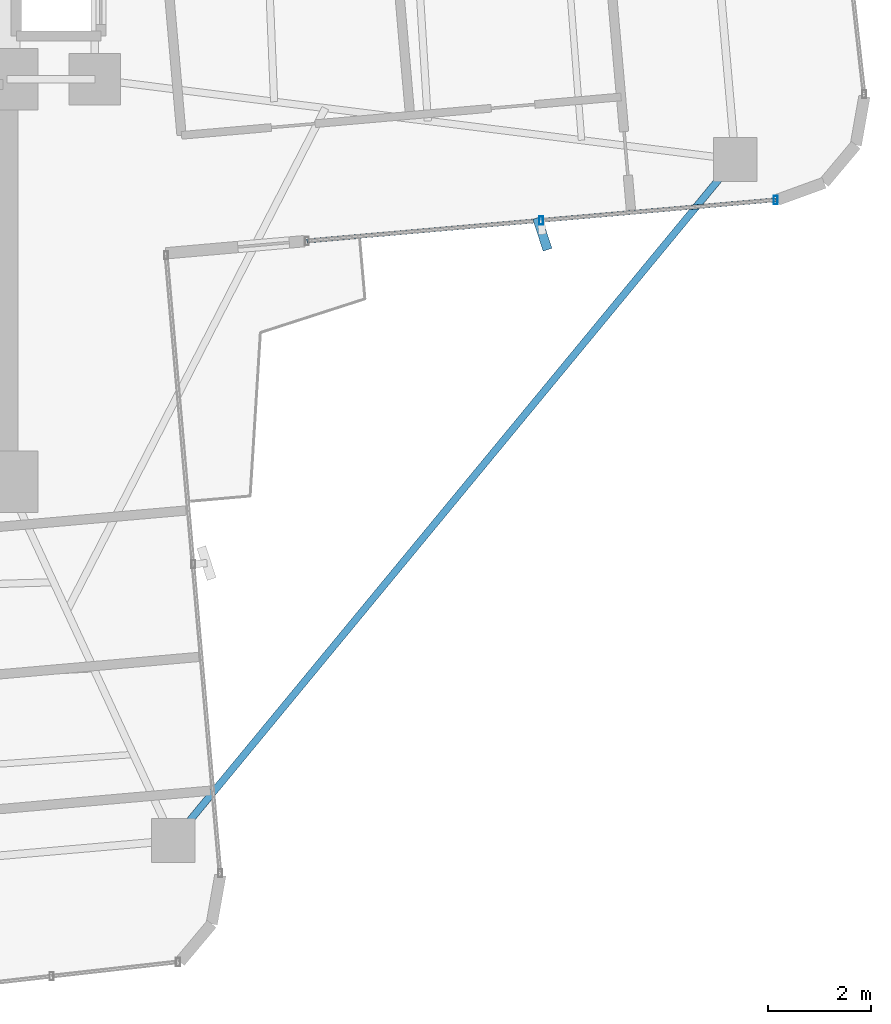
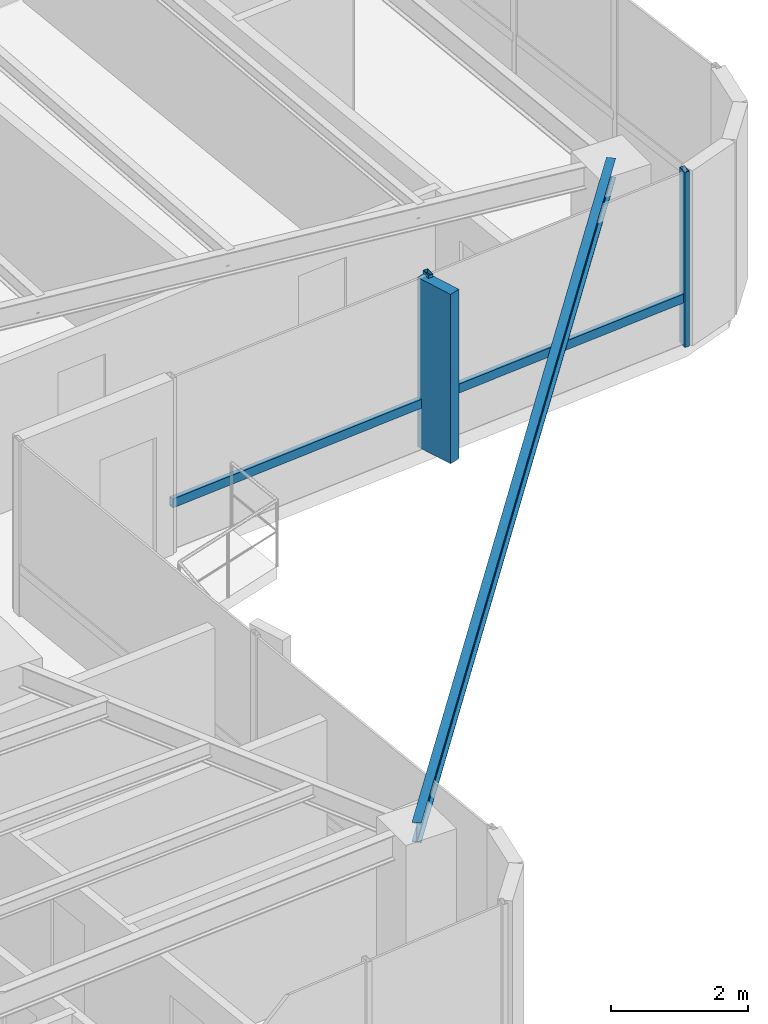
# One storey, part 13 of 24: 5 members, 1 beam, 1 element without a shape of its own.
"""IFC4 building model written with IfcOpenShell, lengths in metres."""

from ifc_helpers import new_model, si_unit, direction, frame, origin, origin_2d, place, context, subcontext, project, spatial, rectangle, hollow_rectangle, i_section, extrude, source, transform, mapped, material, material_profile, profile_set, type_object, element, aggregate, save


model = new_model("IFC4")

# Units and contexts
model_context = context("Model", 3, precision=1e-05, world=origin(), true_north=direction((0.0, 1.0)))
body_context = subcontext(model_context, "Body", "Model", "MODEL_VIEW")
ifc_project = project(units=[si_unit("LENGTHUNIT", "METRE"), si_unit("AREAUNIT", "SQUARE_METRE"), si_unit("VOLUMEUNIT", "CUBIC_METRE"), si_unit("PLANEANGLEUNIT", "RADIAN"), si_unit("MASSUNIT", "GRAM", prefix="KILO")], contexts=[model_context])

# Site, building, storey
site_placement = place(None, origin())
site = spatial("IfcSite", under=ifc_project, at=site_placement, CompositionType="ELEMENT")
building_placement = place(site_placement, origin())
building = spatial("IfcBuilding", under=site, at=building_placement, Name="Sahyath Konkavel Grand Hotel", CompositionType="ELEMENT")
storey_placement = place(building_placement, frame((0.0, 0.0, 181.89990234375)))
storey = spatial("IfcBuildingStorey", under=building, at=storey_placement, Name="L50", CompositionType="ELEMENT", Elevation=181.89990234375)

# Beam
ifc_material_1 = material(Name="Steel E350", Category="steel")
ifc_material_profile_1 = material_profile(ifc_material_1, i_section(OverallWidth=0.139892578125, OverallDepth=0.35009765625, WebThickness=0.008056640625, FlangeThickness=0.01416015625, FilletRadius=0.013916015625, at=origin_2d()), Name="ISMB 350")
ifc_profile_set_1 = profile_set([ifc_material_profile_1], Name="Steel E350")
beam_type = type_object("IfcBeamType", Name="BM-ISMB350", PredefinedType="BEAM", material=ifc_profile_set_1)
shared_shape_1 = source(origin(), body_context, "Body", "SweptSolid", [
    extrude(i_section(OverallWidth=0.139892578125, OverallDepth=0.35009765625, WebThickness=0.008056640625, FlangeThickness=0.01416015625, FilletRadius=0.013916015625, at=origin_2d()), origin(), (0.0, 0.0, 1.0), 17.112548828125),
])
beam_placement = place(storey_placement, frame((17.912841796875, -3.953857421875, 2.93505859375), z_axis=(-0.636437070092, -0.77132863023, 0.0), x_axis=(0.77132863023, -0.636437070092, 0.0)))
element("IfcBeam", 1, at=beam_placement, inside=storey, type_object=beam_type, Name="L50 Re-Entrant Tie Beam SE", PredefinedType="BEAM", context=body_context, shape_type="MappedRepresentation", body=[
    mapped(shared_shape_1, transform((0.0, 0.0, 0.0), scale=1.0)),
])

# Curtain wall, members
ifc_material_2 = material(Name="Anodised Bronze Aluminium & Low-E Glazing", Category="aluminium")
curtain_wall_type = type_object("IfcCurtainWallType", Name="CW-ZONE3", PredefinedType="NOTDEFINED", material=ifc_material_2)
curtain_wall_placement = place(storey_placement, origin())
curtain_wall = element("IfcCurtainWall", 2, at=curtain_wall_placement, inside=storey, type_object=curtain_wall_type, Name="L50 Unitised Curtain Wall F0", PredefinedType="NOTDEFINED")
ifc_material_3 = material(Name="Warm Buff Sandstone Cladding on Concrete C50/60", Category="masonry")
ifc_material_profile_2 = material_profile(ifc_material_3, rectangle(XDim=0.179931640625, YDim=0.64990234375, at=origin_2d()), Name="FIN 180x650")
ifc_profile_set_2 = profile_set([ifc_material_profile_2], Name="Warm Buff Sandstone Cladding on Concrete C50/60")
member_type_1 = type_object("IfcMemberType", Name="FIN-SANDSTONE-650", PredefinedType="MULLION", material=ifc_profile_set_2)
shared_shape_2 = source(origin(), body_context, "Body", "SweptSolid", [
    extrude(rectangle(XDim=0.179931640625, YDim=0.64990234375, at=origin_2d()), origin(), (0.0, 0.0, 1.0), 3.010009765625),
])
member_1_placement = place(storey_placement, frame((14.17431640625, -5.39501953125, 0.050048828125), z_axis=(0.0, 0.0, 1.0), x_axis=(0.951379596601, 0.308020881065, 0.0)))
member_1 = element("IfcMember", 3, at=member_1_placement, type_object=member_type_1, Name="L50 Sandstone Vertical Solar Fin FIN F0-1", PredefinedType="MULLION", context=body_context, shape_type="MappedRepresentation", body=[
    mapped(shared_shape_2, transform((0.0, 0.0, 0.0), scale=1.0)),
])
ifc_material_4 = material(Name="Anodised Bronze Aluminium", Category="aluminium")
ifc_material_profile_3 = material_profile(ifc_material_4, hollow_rectangle(XDim=0.080078125, YDim=0.159912109375, WallThickness=0.006103515625, at=origin_2d()), Name="RHS 160x80x6")
ifc_profile_set_3 = profile_set([ifc_material_profile_3], Name="Anodised Bronze Aluminium")
member_type_2 = type_object("IfcMemberType", Name="CW-MUL-160", PredefinedType="MULLION", material=ifc_profile_set_3)
shared_shape_3 = source(origin(), body_context, "Body", "SweptSolid", [
    extrude(hollow_rectangle(XDim=0.080078125, YDim=0.159912109375, WallThickness=0.006103515625, at=origin_2d()), origin(), (0.0, 0.0, 1.0), 3.110107421875),
])
member_2_placement = place(storey_placement, frame((14.151611328125, -5.135986328125, 0.0), z_axis=(0.0, 0.0, 1.0), x_axis=(1.0, 0.0, 0.0)))
member_2 = element("IfcMember", 4, at=member_2_placement, type_object=member_type_2, Name="L50 Curtain Wall Mullion F0-1", PredefinedType="MULLION", context=body_context, shape_type="MappedRepresentation", body=[
    mapped(shared_shape_3, transform((0.0, 0.0, 0.0), scale=1.0)),
])
member_3_placement = place(storey_placement, frame((18.694091796875, -4.73876953125, 0.0), z_axis=(0.0, 0.0, 1.0), x_axis=(1.0, 0.0, 0.0)))
member_3 = element("IfcMember", 5, at=member_3_placement, type_object=member_type_2, Name="L50 Curtain Wall Mullion F0-2", PredefinedType="MULLION", context=body_context, shape_type="MappedRepresentation", body=[
    mapped(shared_shape_3, transform((0.0, 0.0, 0.0), scale=1.0)),
])
ifc_material_profile_4 = material_profile(ifc_material_4, hollow_rectangle(XDim=0.080078125, YDim=0.159912109375, WallThickness=0.006103515625, at=origin_2d()), Name="RHS 160x80x6")
ifc_profile_set_4 = profile_set([ifc_material_profile_4], Name="Anodised Bronze Aluminium")
member_type_3 = type_object("IfcMemberType", Name="CW-TRN-160", PredefinedType="USERDEFINED", material=ifc_profile_set_4)
shared_shape_4 = source(origin(), body_context, "Body", "SweptSolid", [
    extrude(hollow_rectangle(XDim=0.080078125, YDim=0.159912109375, WallThickness=0.006103515625, at=origin_2d()), origin(), (0.0, 0.0, 1.0), 4.56005859375),
])
member_4_placement = place(storey_placement, frame((9.60888671875, -5.53369140625, 0.85009765625), z_axis=(0.996189590376, 0.087214104516, 0.0), x_axis=(-0.087214104516, 0.996189590376, 0.0)))
member_4 = element("IfcMember", 6, at=member_4_placement, type_object=member_type_3, Name="L50 Curtain Wall Transom F0-0-spandrel", ObjectType="TRANSOM", PredefinedType="USERDEFINED", context=body_context, shape_type="MappedRepresentation", body=[
    mapped(shared_shape_4, transform((0.0, 0.0, 0.0), scale=1.0)),
])
shared_shape_5 = source(origin(), body_context, "Body", "SweptSolid", [
    extrude(hollow_rectangle(XDim=0.080078125, YDim=0.159912109375, WallThickness=0.006103515625, at=origin_2d()), origin(), (0.0, 0.0, 1.0), 4.559814453125),
])
member_5_placement = place(storey_placement, frame((14.151611328125, -5.135986328125, 0.85009765625), z_axis=(0.99619848155, 0.087112486804, 0.0), x_axis=(-0.087112486804, 0.99619848155, 0.0)))
member_5 = element("IfcMember", 7, at=member_5_placement, type_object=member_type_3, Name="L50 Curtain Wall Transom F0-1-spandrel", ObjectType="TRANSOM", PredefinedType="USERDEFINED", context=body_context, shape_type="MappedRepresentation", body=[
    mapped(shared_shape_5, transform((0.0, 0.0, 0.0), scale=1.0)),
])
aggregate(curtain_wall, [member_2, member_1, member_3, member_4, member_5])

save(model, "model.ifc")
